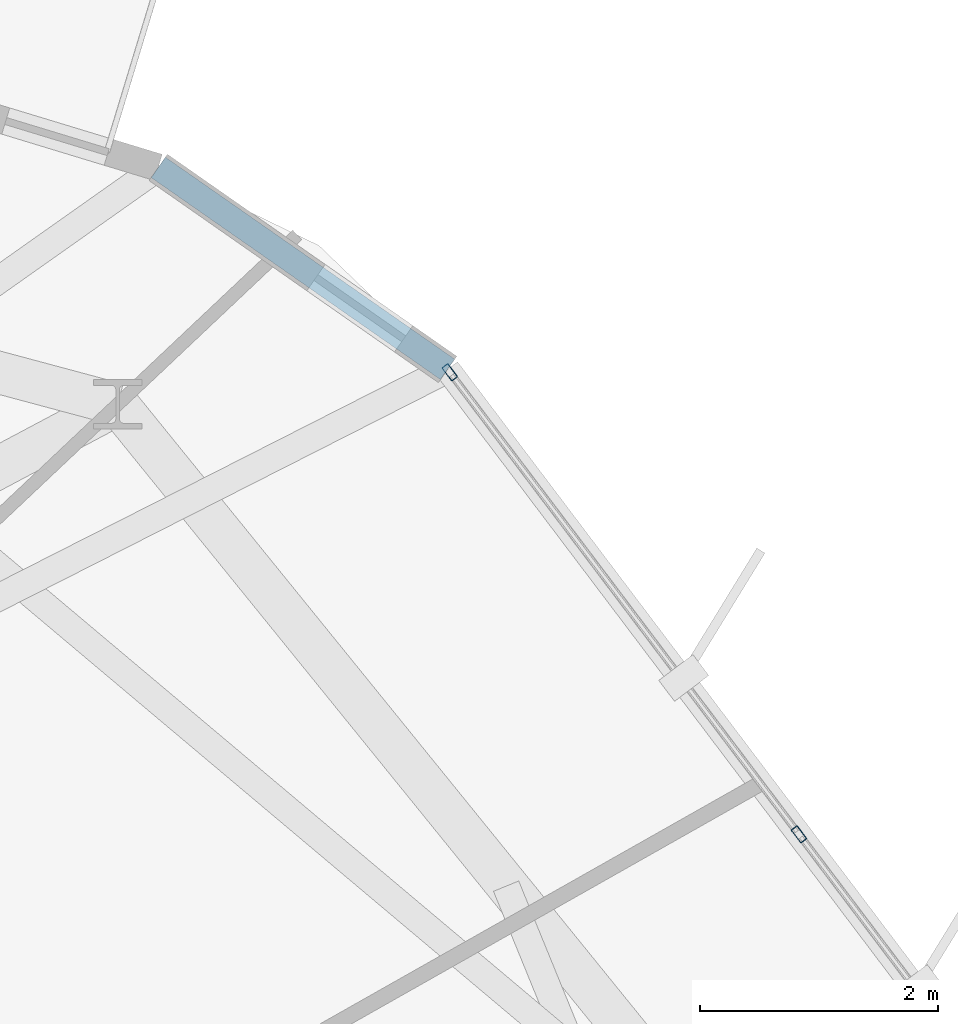
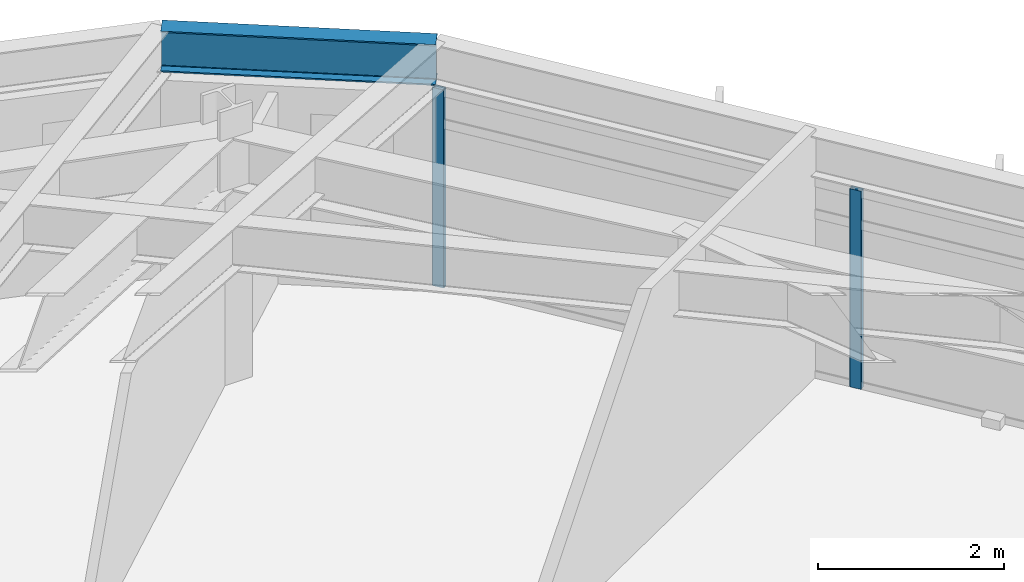
# One storey, part 25 of 34: 2 members, 1 beam, 1 element without a shape of its own.
"""IFC4 building model written with IfcOpenShell, lengths in metres."""

from ifc_helpers import new_model, si_unit, direction, frame, origin, origin_2d, place, context, subcontext, project, spatial, hollow_rectangle, i_section, extrude, material, layer, layer_set, material_profile, profile_set, type_object, element, aggregate, save


model = new_model("IFC4")

# Units and contexts
model_context = context("Model", 3, precision=1e-05, world=origin(), true_north=direction((0.0, 1.0)))
body_context = subcontext(model_context, "Body", "Model", "MODEL_VIEW")
ifc_project = project(units=[si_unit("LENGTHUNIT", "METRE"), si_unit("AREAUNIT", "SQUARE_METRE"), si_unit("VOLUMEUNIT", "CUBIC_METRE"), si_unit("PLANEANGLEUNIT", "RADIAN"), si_unit("MASSUNIT", "GRAM", prefix="KILO")], contexts=[model_context])

# Site, building, storey
site_placement = place(None, origin())
site = spatial("IfcSite", under=ifc_project, at=site_placement, CompositionType="ELEMENT")
building_placement = place(site_placement, origin())
building = spatial("IfcBuilding", under=site, at=building_placement, Name="Soratama Intermodal Tower", CompositionType="ELEMENT")
storey_placement = place(building_placement, frame((0.0, 0.0, 233.800048828125)))
storey = spatial("IfcBuildingStorey", under=building, at=storey_placement, Name="L59", CompositionType="ELEMENT", Elevation=233.800048828125)

# Beam
ifc_material_1 = material(Name="Structural steel ASTM A992 Grade 50", Category="steel")
ifc_material_profile_1 = material_profile(ifc_material_1, i_section(OverallWidth=0.2099609375, OverallDepth=0.537109375, WebThickness=0.010986328125, FlangeThickness=0.017333984375, FilletRadius=0.012939453125, at=origin_2d()), Name="W21X68")
ifc_profile_set_1 = profile_set([ifc_material_profile_1], Name="Structural steel ASTM A992 Grade 50")
beam_type = type_object("IfcBeamType", Name="BM-SPN-W21X68", PredefinedType="SPANDREL", material=ifc_profile_set_1)
beam_placement = place(storey_placement, frame((57.904052734375, 40.89306640625, 2.951416015625), z_axis=(-0.819942776394, 0.572445493859, 0.0), x_axis=(-0.572445493859, -0.819942776394, 0.0)))
element("IfcBeam", 1, at=beam_placement, inside=storey, type_object=beam_type, Name="BS-L59-CRN10", PredefinedType="SPANDREL", context=body_context, shape_type="SweptSolid", body=[
    extrude(i_section(OverallWidth=0.2099609375, OverallDepth=0.537109375, WebThickness=0.010986328125, FlangeThickness=0.017333984375, FilletRadius=0.012939453125, at=origin_2d()), origin(), (0.0, 0.0, 1.0), 2.96630859375),
])

# Curtain wall, members
ifc_material_2 = material(Name="Double-glazed aluminium curtain wall", Category="aluminium")
ifc_layer = layer(ifc_material_2, 0.159912109375)
ifc_layer_set = layer_set([ifc_layer], Name="Double-glazed aluminium curtain wall")
curtain_wall_type = type_object("IfcCurtainWallType", Name="CW-SYS-5", PredefinedType="NOTDEFINED", material=ifc_layer_set)
curtain_wall_placement = place(storey_placement, origin())
curtain_wall = element("IfcCurtainWall", 2, at=curtain_wall_placement, inside=storey, type_object=curtain_wall_type, Name="L59 Faceted Curtain Wall F10", PredefinedType="NOTDEFINED")
ifc_material_3 = material(Name="Anodised aluminium AA 6063-T6", Category="aluminium")
ifc_material_profile_2 = material_profile(ifc_material_3, hollow_rectangle(XDim=0.06494140625, YDim=0.139892578125, WallThickness=0.0048828125, InnerFilletRadius=0.0048828125, OuterFilletRadius=0.010009765625, at=origin_2d()), Name="CWM140X65X5")
ifc_profile_set_2 = profile_set([ifc_material_profile_2], Name="Anodised aluminium AA 6063-T6")
member_type = type_object("IfcMemberType", Name="MT-CWM-5", PredefinedType="MULLION", material=ifc_profile_set_2)
member_1_placement = place(storey_placement, frame((60.85791015625, 36.984375, 0.0), z_axis=(0.0, 0.0, 1.0), x_axis=(-0.797793680769, -0.602930545689, 0.0)))
member_1 = element("IfcMember", 3, at=member_1_placement, type_object=member_type, Name="CW-5 mullion 2", PredefinedType="MULLION", context=body_context, shape_type="SweptSolid", body=[
    extrude(hollow_rectangle(XDim=0.06494140625, YDim=0.139892578125, WallThickness=0.0048828125, InnerFilletRadius=0.0048828125, OuterFilletRadius=0.010009765625, at=origin_2d()), origin(), (0.0, 0.0, 1.0), 2.598876953125),
])
member_2_placement = place(storey_placement, frame((57.92236328125, 40.86865234375, 0.0), z_axis=(0.0, 0.0, 1.0), x_axis=(-0.797793680769, -0.602930545689, 0.0)))
member_2 = element("IfcMember", 4, at=member_2_placement, type_object=member_type, Name="CW-5 mullion 3", PredefinedType="MULLION", context=body_context, shape_type="SweptSolid", body=[
    extrude(hollow_rectangle(XDim=0.06494140625, YDim=0.139892578125, WallThickness=0.0048828125, InnerFilletRadius=0.0048828125, OuterFilletRadius=0.010009765625, at=origin_2d()), origin(), (0.0, 0.0, 1.0), 2.598876953125),
])
aggregate(curtain_wall, [member_1, member_2])

save(model, "model.ifc")
